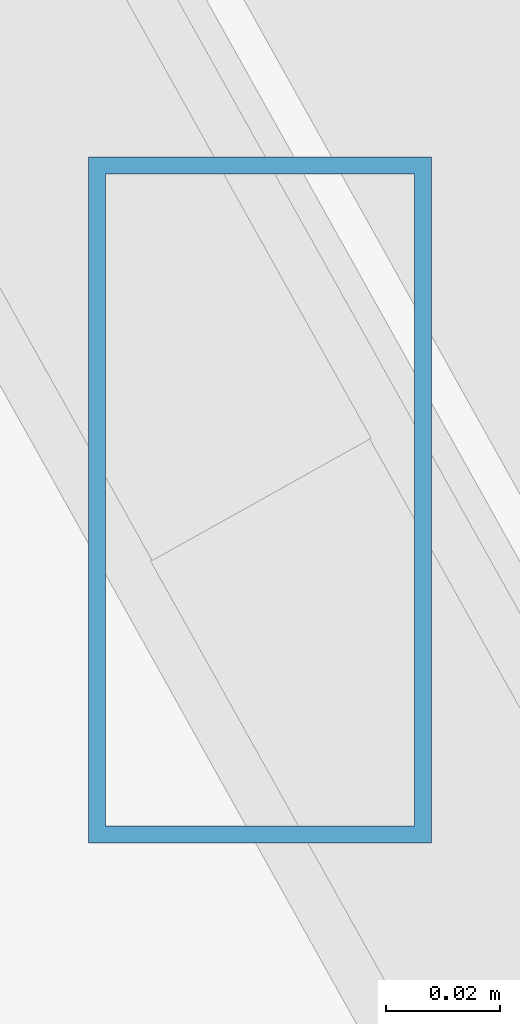
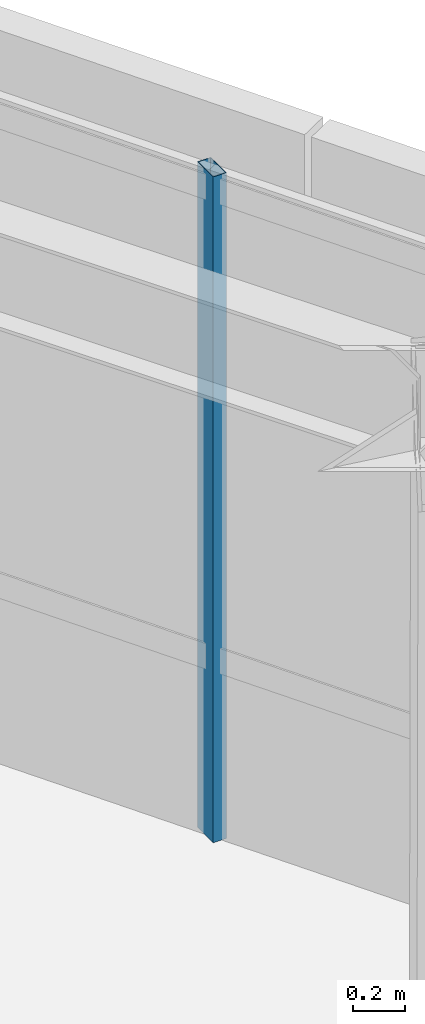
# One storey, part 25 of 44: 1 member, 1 element without a shape of its own.
"""IFC4 building model written with IfcOpenShell, lengths in metres."""

from ifc_helpers import new_model, si_unit, direction, frame, origin, origin_2d, place, context, subcontext, project, spatial, hollow_rectangle, extrude, source, transform, mapped, material, material_profile, profile_set, type_object, type_shapes, element, aggregate, save


model = new_model("IFC4")

# Units and contexts
model_context = context("Model", 3, precision=1e-05, world=origin(), true_north=direction((0.0, 1.0)))
body_context = subcontext(model_context, "Body", "Model", "MODEL_VIEW")
ifc_project = project(units=[si_unit("LENGTHUNIT", "METRE"), si_unit("AREAUNIT", "SQUARE_METRE"), si_unit("VOLUMEUNIT", "CUBIC_METRE"), si_unit("PLANEANGLEUNIT", "RADIAN"), si_unit("MASSUNIT", "GRAM", prefix="KILO")], contexts=[model_context])

# Site, building, storey
site_placement = place(None, origin())
site = spatial("IfcSite", under=ifc_project, at=site_placement, CompositionType="ELEMENT")
building_placement = place(site_placement, origin())
building = spatial("IfcBuilding", under=site, at=building_placement, Name="Caelisora Broadcast Tower", CompositionType="ELEMENT")
storey_placement = place(building_placement, frame((0.0, 0.0, 296.60009765625)))
storey = spatial("IfcBuildingStorey", under=building, at=storey_placement, Name="L78", CompositionType="ELEMENT", Elevation=296.60009765625)

# Curtain wall, member
ifc_material_1 = material(Name="Unitised Aluminium Insulated Shadow-Box Spandrel Curtain Wall", Category="aluminium")
curtain_wall_type = type_object("IfcCurtainWallType", Name="CW-SP3", PredefinedType="NOTDEFINED", material=ifc_material_1)
curtain_wall_placement = place(storey_placement, origin())
curtain_wall = element("IfcCurtainWall", 1, at=curtain_wall_placement, inside=storey, type_object=curtain_wall_type, Name="L78 curtain wall CW-SP3", PredefinedType="NOTDEFINED")
ifc_material_2 = material(Name="Aluminium 6063-T6 Anodised Terracotta Bronze", Category="aluminium")
ifc_material_profile = material_profile(ifc_material_2, hollow_rectangle(XDim=0.06005859375, YDim=0.1201171875, WallThickness=0.0029296875, at=origin_2d()), Name="Aluminium 6063-T6 Anodised Terracotta Bronze")
ifc_profile_set = profile_set([ifc_material_profile], Name="Aluminium 6063-T6 Anodised Terracotta Bronze")
member_type = type_object("IfcMemberType", Name="CWM-04", PredefinedType="MULLION", material=ifc_profile_set)
shared_shape = source(origin(), body_context, "Body", "SweptSolid", [
    extrude(hollow_rectangle(XDim=0.06005859375, YDim=0.1201171875, WallThickness=0.0029296875, at=origin_2d()), origin(), (0.0, 0.0, 1.0), 3.14990234375),
])
type_shapes(member_type, [shared_shape])
member_placement = place(storey_placement, frame((58.942626953125, 16.740478515625, 0.0), z_axis=(0.0, 0.0, 1.0), x_axis=(1.0, 0.0, 0.0)))
member = element("IfcMember", 2, at=member_placement, type_object=member_type, Name="L78-CW-B03 mullion #2", PredefinedType="MULLION", context=body_context, shape_type="MappedRepresentation", body=[
    mapped(shared_shape, transform((0.0, 0.0, 0.0), scale=1.0)),
])
aggregate(curtain_wall, [member])

save(model, "model.ifc")
